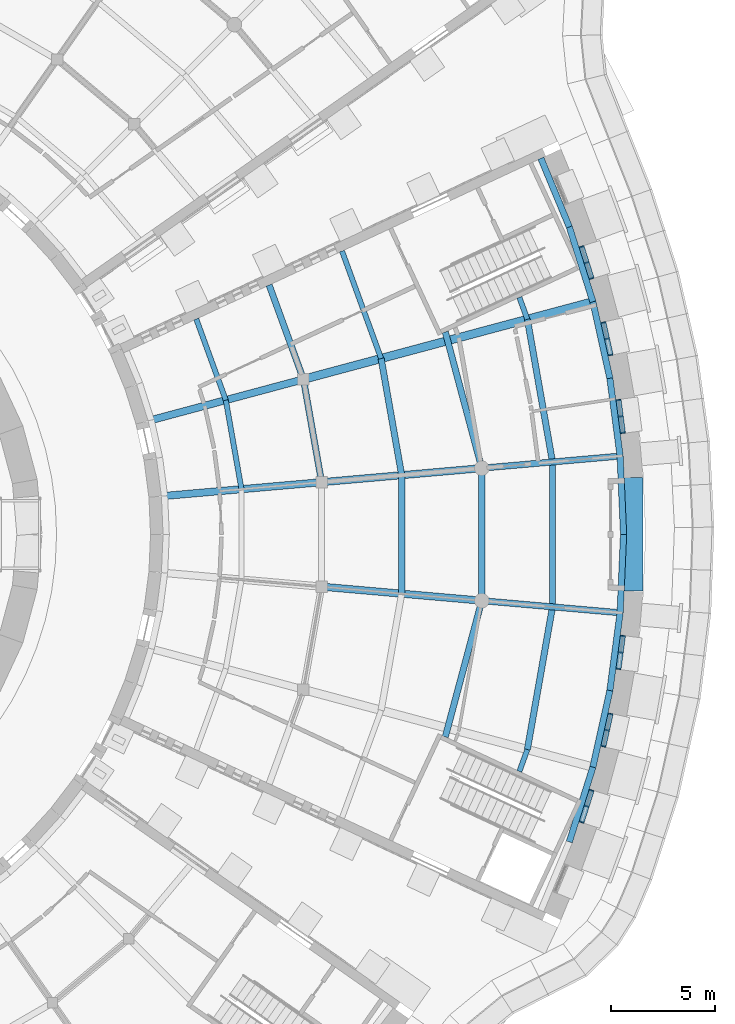
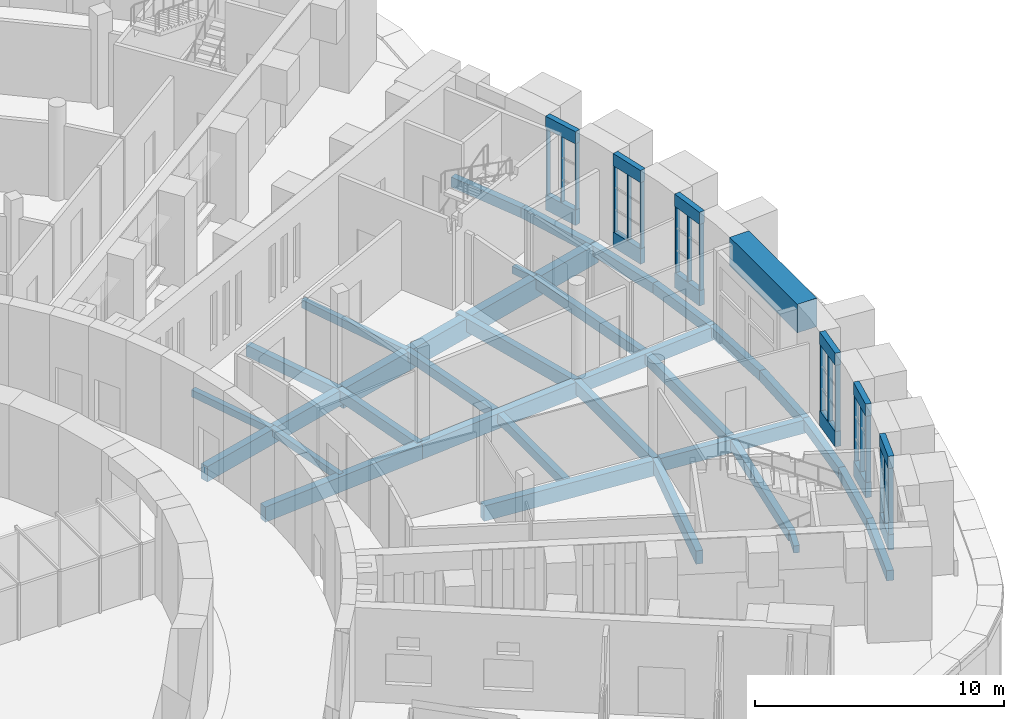
# One storey, part 20 of 85: 44 beams, 18 members, 6 elements without a shape of their own.
"""IFC4 building model written with IfcOpenShell, lengths in metres."""

from ifc_helpers import new_model, si_unit, direction, frame, origin, origin_2d, place, context, subcontext, project, spatial, rectangle, extrude, material, layer, layer_set, material_profile, profile_set, type_object, element, aggregate, save


model = new_model("IFC4")

# Units and contexts
model_context = context("Model", 3, precision=1e-05, world=origin(), true_north=direction((0.0, 1.0)))
body_context = subcontext(model_context, "Body", "Model", "MODEL_VIEW")
ifc_project = project(units=[si_unit("LENGTHUNIT", "METRE"), si_unit("AREAUNIT", "SQUARE_METRE"), si_unit("VOLUMEUNIT", "CUBIC_METRE"), si_unit("PLANEANGLEUNIT", "RADIAN"), si_unit("MASSUNIT", "GRAM", prefix="KILO")], contexts=[model_context])

# Site, building, storey
site_placement = place(None, origin())
site = spatial("IfcSite", under=ifc_project, at=site_placement, CompositionType="ELEMENT")
building_placement = place(site_placement, origin())
building = spatial("IfcBuilding", under=site, at=building_placement, Name="Volute Hill Aquarium", CompositionType="ELEMENT")
storey_placement = place(building_placement, origin())
storey = spatial("IfcBuildingStorey", under=building, at=storey_placement, Name="L01", CompositionType="ELEMENT", Elevation=0.0)

# Beams
ifc_material_1 = material(Name="Concrete C35/45", Category="concrete")
ifc_material_profile_1 = material_profile(ifc_material_1, rectangle(XDim=0.300048828125, YDim=0.550048828125, at=origin_2d()), Name="RC beam 300x550")
ifc_profile_set_1 = profile_set([ifc_material_profile_1], Name="Concrete C35/45")
beam_type_1 = type_object("IfcBeamType", Name="Beam 300x550 C35/45", PredefinedType="BEAM", material=ifc_profile_set_1)
beam_1_placement = place(storey_placement, frame((28.5908203125, 2.50146484375, -0.514892578125), z_axis=(-0.173643342996, 0.984808605483, 0.0), x_axis=(-0.984808605483, -0.173643342996, 0.0)))
element("IfcBeam", 1, at=beam_1_placement, inside=storey, type_object=beam_type_1, Name="bm/S4/L01/ring1.14", PredefinedType="BEAM", context=body_context, shape_type="SweptSolid", body=[
    extrude(rectangle(XDim=0.300048828125, YDim=0.550048828125, at=origin_2d()), origin(), (0.0, 0.0, 1.0), 5.00244140625),
])
beam_2_placement = place(storey_placement, frame((27.72216796875, 7.427978515625, -0.514892578125), z_axis=(-0.342053281392, 0.939680558854, 0.0), x_axis=(-0.939680558854, -0.342053281392, 0.0)))
element("IfcBeam", 2, at=beam_2_placement, inside=storey, type_object=beam_type_1, Name="bm/S4/L01/ring1.15", PredefinedType="BEAM", context=body_context, shape_type="SweptSolid", body=[
    extrude(rectangle(XDim=0.300048828125, YDim=0.550048828125, at=origin_2d()), origin(), (0.0, 0.0, 1.0), 4.802001953125),
])
ifc_material_2 = material(Name="Concrete C35/45", Category="concrete")
ifc_material_profile_2 = material_profile(ifc_material_2, rectangle(XDim=0.300048828125, YDim=0.60009765625, at=origin_2d()), Name="RC beam 300x600")
ifc_profile_set_2 = profile_set([ifc_material_profile_2], Name="Concrete C35/45")
beam_type_2 = type_object("IfcBeamType", Name="Beam 300x600 C35/45", PredefinedType="BEAM", material=ifc_profile_set_2)
beam_3_placement = place(storey_placement, frame((36.261474609375, -3.172607421875, -0.5400390625), z_axis=(0.0, 1.0, 0.0), x_axis=(-1.0, 0.0, 0.0)))
element("IfcBeam", 3, at=beam_3_placement, inside=storey, type_object=beam_type_2, Name="bm/S4/L01/ring2.17", PredefinedType="BEAM", context=body_context, shape_type="SweptSolid", body=[
    extrude(rectangle(XDim=0.300048828125, YDim=0.60009765625, at=origin_2d()), origin(), (0.0, 0.0, 1.0), 6.34521484375),
])
ifc_material_3 = material(Name="Concrete C35/45", Category="concrete")
ifc_material_profile_3 = material_profile(ifc_material_3, rectangle(XDim=0.300048828125, YDim=0.64990234375, at=origin_2d()), Name="RC beam 300x650")
ifc_profile_set_3 = profile_set([ifc_material_profile_3], Name="Concrete C35/45")
beam_type_3 = type_object("IfcBeamType", Name="Beam 300x650 C35/45", PredefinedType="BEAM", material=ifc_profile_set_3)
for number, where, z_axis, x_axis, name in (
    (4, (36.261474609375, -3.172607421875, -0.56494140625), (0.996196405978, -0.087136219314, 0.0), (0.087136219314, 0.996196405978, 0.0), "bm/S4/L01/rad2.5"),
    (5, (36.261474609375, 3.172607421875, -0.56494140625), (0.996196405978, 0.087136219314, 0.0), (-0.087136219314, 0.996196405978, 0.0), "bm/S4/L01/rad3.8"),
):
    element("IfcBeam", number, at=place(storey_placement, frame(where, z_axis=z_axis, x_axis=x_axis)), inside=storey, type_object=beam_type_3, Name=name, PredefinedType="BEAM", context=body_context, shape_type="SweptSolid", body=[
        extrude(rectangle(XDim=0.300048828125, YDim=0.64990234375, at=origin_2d()), origin(), (0.0, 0.0, 1.0), 6.800048828125),
    ])
for number, where, z_axis, x_axis, name in (
    (6, (34.513916015625, -9.694580078125, -0.56494140625), (0.258819223005, 0.96592577862, 0.0), (-0.96592577862, 0.258819223005, 0.0), "bm/S4/L01/ring2.16"),
    (7, (36.261474609375, 3.172607421875, -0.56494140625), (-0.258819223005, 0.96592577862, 0.0), (-0.96592577862, -0.258819223005, 0.0), "bm/S4/L01/ring2.18"),
):
    element("IfcBeam", number, at=place(storey_placement, frame(where, z_axis=z_axis, x_axis=x_axis)), inside=storey, type_object=beam_type_3, Name=name, PredefinedType="BEAM", context=body_context, shape_type="SweptSolid", body=[
        extrude(rectangle(XDim=0.300048828125, YDim=0.64990234375, at=origin_2d()), origin(), (0.0, 0.0, 1.0), 6.751953125),
    ])
ifc_material_4 = material(Name="Concrete C35/45", Category="concrete")
ifc_material_profile_4 = material_profile(ifc_material_4, rectangle(XDim=0.35009765625, YDim=0.75, at=origin_2d()), Name="RC beam 350x750")
ifc_profile_set_4 = profile_set([ifc_material_profile_4], Name="Concrete C35/45")
beam_type_4 = type_object("IfcBeamType", Name="Beam 350x750 C35/45", PredefinedType="BEAM", material=ifc_profile_set_4)
for number, where, z_axis, x_axis, name in (
    (8, (28.5908203125, -2.50146484375, -0.614990234375), (0.996194164888, -0.087161837082, 0.0), (0.087161837082, 0.996194164888, 0.0), "bm/S4/L01/rad2.4"),
    (9, (20.920166015625, 1.830322265625, -0.614990234375), (0.996194164888, 0.087161837082, 0.0), (-0.087161837082, 0.996194164888, 0.0), "bm/S4/L01/rad3.6"),
    (10, (28.5908203125, 2.50146484375, -0.614990234375), (0.996194164888, 0.087161837082, 0.0), (-0.087161837082, 0.996194164888, 0.0), "bm/S4/L01/rad3.7"),
    (11, (20.284423828125, 5.435302734375, -0.614990234375), (0.965934324242, 0.258787328228, 0.0), (-0.258787328228, 0.965934324242, 0.0), "bm/S4/L01/rad4.9"),
):
    element("IfcBeam", number, at=place(storey_placement, frame(where, z_axis=z_axis, x_axis=x_axis)), inside=storey, type_object=beam_type_4, Name=name, PredefinedType="BEAM", context=body_context, shape_type="SweptSolid", body=[
        extrude(rectangle(XDim=0.35009765625, YDim=0.75, at=origin_2d()), origin(), (0.0, 0.0, 1.0), 7.699951171875),
    ])
ifc_material_5 = material(Name="Concrete C35/45", Category="concrete")
ifc_material_profile_5 = material_profile(ifc_material_5, rectangle(XDim=0.39990234375, YDim=0.949951171875, at=origin_2d()), Name="RC beam 400x950")
ifc_profile_set_5 = profile_set([ifc_material_profile_5], Name="Concrete C35/45")
beam_type_5 = type_object("IfcBeamType", Name="Beam 400x950 C35/45", PredefinedType="BEAM", material=ifc_profile_set_5)
beam_4_placement = place(storey_placement, frame((27.72216796875, 7.427978515625, -0.715087890625), z_axis=(0.965924602504, 0.258823612287, 0.0), x_axis=(-0.258823612287, 0.965924602504, 0.0)))
element("IfcBeam", 12, at=beam_4_placement, inside=storey, type_object=beam_type_5, Name="bm/S4/L01/rad4.10", PredefinedType="BEAM", context=body_context, shape_type="SweptSolid", body=[
    extrude(rectangle(XDim=0.39990234375, YDim=0.949951171875, at=origin_2d()), origin(), (0.0, 0.0, 1.0), 14.5),
])

# Curtain wall, members
ifc_material_6 = material(Name="Aluminium", Category="aluminium")
ifc_layer = layer(ifc_material_6, 0.25)
ifc_layer_set = layer_set([ifc_layer], Name="Curtain wall niche S4 module 819")
curtain_wall_type = type_object("IfcCurtainWallType", Name="Curtain wall niche S4 module 819", PredefinedType="NOTDEFINED", material=ifc_layer_set)
curtain_wall_1_placement = place(storey_placement, origin())
curtain_wall_1 = element("IfcCurtainWall", 13, at=curtain_wall_1_placement, inside=storey, type_object=curtain_wall_type, Name="Curtain wall CW S4 L01 2", PredefinedType="NOTDEFINED")
ifc_material_7 = material(Name="Aluminium", Category="aluminium")
ifc_material_profile_6 = material_profile(ifc_material_7, rectangle(XDim=0.199951171875, YDim=0.06005859375, at=origin_2d()), Name="Curtain wall mullion S4 60x200")
ifc_profile_set_6 = profile_set([ifc_material_profile_6], Name="Aluminium")
member_type = type_object("IfcMemberType", Name="Curtain wall mullion S4 60x200", PredefinedType="MULLION", material=ifc_profile_set_6)
member_1_placement = place(storey_placement, frame((41.04296875, -13.767822265625, 0.75), z_axis=(0.0, 0.0, 1.0), x_axis=(-0.953715759869, 0.300709576466, 0.0)))
member_1 = element("IfcMember", 14, at=member_1_placement, type_object=member_type, Name="CW mullion 1", PredefinedType="MULLION", context=body_context, shape_type="SweptSolid", body=[
    extrude(rectangle(XDim=0.199951171875, YDim=0.06005859375, at=origin_2d()), origin(), (0.0, 0.0, 1.0), 3.25),
])
member_2_placement = place(storey_placement, frame((41.2802734375, -13.015625, 0.75), z_axis=(0.0, 0.0, 1.0), x_axis=(-0.953715759869, 0.300709576466, 0.0)))
member_2 = element("IfcMember", 15, at=member_2_placement, type_object=member_type, Name="CW mullion 2", PredefinedType="MULLION", context=body_context, shape_type="SweptSolid", body=[
    extrude(rectangle(XDim=0.199951171875, YDim=0.06005859375, at=origin_2d()), origin(), (0.0, 0.0, 1.0), 3.25),
])
member_3_placement = place(storey_placement, frame((41.517333984375, -12.263427734375, 0.75), z_axis=(0.0, 0.0, 1.0), x_axis=(-0.953715759869, 0.300709576466, 0.0)))
member_3 = element("IfcMember", 16, at=member_3_placement, type_object=member_type, Name="CW mullion 3", PredefinedType="MULLION", context=body_context, shape_type="SweptSolid", body=[
    extrude(rectangle(XDim=0.199951171875, YDim=0.06005859375, at=origin_2d()), origin(), (0.0, 0.0, 1.0), 3.25),
])
aggregate(curtain_wall_1, [member_1, member_2, member_3])

curtain_wall_2_placement = place(storey_placement, origin())
curtain_wall_2 = element("IfcCurtainWall", 17, at=curtain_wall_2_placement, inside=storey, type_object=curtain_wall_type, Name="Curtain wall CW S4 L01 3", PredefinedType="NOTDEFINED")
member_4_placement = place(storey_placement, frame((42.0869140625, -10.138427734375, 0.75), z_axis=(0.0, 0.0, 1.0), x_axis=(-0.976297724054, 0.216431869204, 0.0)))
member_4 = element("IfcMember", 18, at=member_4_placement, type_object=member_type, Name="CW mullion 1", PredefinedType="MULLION", context=body_context, shape_type="SweptSolid", body=[
    extrude(rectangle(XDim=0.199951171875, YDim=0.06005859375, at=origin_2d()), origin(), (0.0, 0.0, 1.0), 3.25),
])
member_5_placement = place(storey_placement, frame((42.257568359375, -9.368408203125, 0.75), z_axis=(0.0, 0.0, 1.0), x_axis=(-0.976297724054, 0.216431869204, 0.0)))
member_5 = element("IfcMember", 19, at=member_5_placement, type_object=member_type, Name="CW mullion 2", PredefinedType="MULLION", context=body_context, shape_type="SweptSolid", body=[
    extrude(rectangle(XDim=0.199951171875, YDim=0.06005859375, at=origin_2d()), origin(), (0.0, 0.0, 1.0), 3.25),
])
member_6_placement = place(storey_placement, frame((42.42822265625, -8.598388671875, 0.75), z_axis=(0.0, 0.0, 1.0), x_axis=(-0.976297724054, 0.216431869204, 0.0)))
member_6 = element("IfcMember", 20, at=member_6_placement, type_object=member_type, Name="CW mullion 3", PredefinedType="MULLION", context=body_context, shape_type="SweptSolid", body=[
    extrude(rectangle(XDim=0.199951171875, YDim=0.06005859375, at=origin_2d()), origin(), (0.0, 0.0, 1.0), 3.25),
])
aggregate(curtain_wall_2, [member_4, member_5, member_6])

curtain_wall_3_placement = place(storey_placement, origin())
curtain_wall_3 = element("IfcCurtainWall", 21, at=curtain_wall_3_placement, inside=storey, type_object=curtain_wall_type, Name="Curtain wall CW S4 L01 4", PredefinedType="NOTDEFINED")
member_7_placement = place(storey_placement, frame((42.810302734375, -6.431640625, 0.75), z_axis=(0.0, 0.0, 1.0), x_axis=(-0.991446228392, 0.130515808269, 0.0)))
member_7 = element("IfcMember", 22, at=member_7_placement, type_object=member_type, Name="CW mullion 1", PredefinedType="MULLION", context=body_context, shape_type="SweptSolid", body=[
    extrude(rectangle(XDim=0.199951171875, YDim=0.06005859375, at=origin_2d()), origin(), (0.0, 0.0, 1.0), 3.25),
])
member_8_placement = place(storey_placement, frame((42.9130859375, -5.649658203125, 0.75), z_axis=(0.0, 0.0, 1.0), x_axis=(-0.991446228392, 0.130515808269, 0.0)))
member_8 = element("IfcMember", 23, at=member_8_placement, type_object=member_type, Name="CW mullion 2", PredefinedType="MULLION", context=body_context, shape_type="SweptSolid", body=[
    extrude(rectangle(XDim=0.199951171875, YDim=0.06005859375, at=origin_2d()), origin(), (0.0, 0.0, 1.0), 3.25),
])
member_9_placement = place(storey_placement, frame((43.01611328125, -4.86767578125, 0.75), z_axis=(0.0, 0.0, 1.0), x_axis=(-0.991446228392, 0.130515808269, 0.0)))
member_9 = element("IfcMember", 24, at=member_9_placement, type_object=member_type, Name="CW mullion 3", PredefinedType="MULLION", context=body_context, shape_type="SweptSolid", body=[
    extrude(rectangle(XDim=0.199951171875, YDim=0.06005859375, at=origin_2d()), origin(), (0.0, 0.0, 1.0), 3.25),
])
aggregate(curtain_wall_3, [member_7, member_8, member_9])

curtain_wall_4_placement = place(storey_placement, origin())
curtain_wall_4 = element("IfcCurtainWall", 25, at=curtain_wall_4_placement, inside=storey, type_object=curtain_wall_type, Name="Curtain wall CW S4 L01 7", PredefinedType="NOTDEFINED")
member_10_placement = place(storey_placement, frame((43.01611328125, 4.86767578125, 0.75), z_axis=(0.0, 0.0, 1.0), x_axis=(-0.991446228392, -0.130515808269, 0.0)))
member_10 = element("IfcMember", 26, at=member_10_placement, type_object=member_type, Name="CW mullion 1", PredefinedType="MULLION", context=body_context, shape_type="SweptSolid", body=[
    extrude(rectangle(XDim=0.199951171875, YDim=0.06005859375, at=origin_2d()), origin(), (0.0, 0.0, 1.0), 3.25),
])
member_11_placement = place(storey_placement, frame((42.9130859375, 5.649658203125, 0.75), z_axis=(0.0, 0.0, 1.0), x_axis=(-0.991446228392, -0.130515808269, 0.0)))
member_11 = element("IfcMember", 27, at=member_11_placement, type_object=member_type, Name="CW mullion 2", PredefinedType="MULLION", context=body_context, shape_type="SweptSolid", body=[
    extrude(rectangle(XDim=0.199951171875, YDim=0.06005859375, at=origin_2d()), origin(), (0.0, 0.0, 1.0), 3.25),
])
member_12_placement = place(storey_placement, frame((42.810302734375, 6.431640625, 0.75), z_axis=(0.0, 0.0, 1.0), x_axis=(-0.991446228392, -0.130515808269, 0.0)))
member_12 = element("IfcMember", 28, at=member_12_placement, type_object=member_type, Name="CW mullion 3", PredefinedType="MULLION", context=body_context, shape_type="SweptSolid", body=[
    extrude(rectangle(XDim=0.199951171875, YDim=0.06005859375, at=origin_2d()), origin(), (0.0, 0.0, 1.0), 3.25),
])
aggregate(curtain_wall_4, [member_10, member_11, member_12])

curtain_wall_5_placement = place(storey_placement, origin())
curtain_wall_5 = element("IfcCurtainWall", 29, at=curtain_wall_5_placement, inside=storey, type_object=curtain_wall_type, Name="Curtain wall CW S4 L01 8", PredefinedType="NOTDEFINED")
member_13_placement = place(storey_placement, frame((42.42822265625, 8.59814453125, 0.75), z_axis=(0.0, 0.0, 1.0), x_axis=(-0.976296719673, -0.216436399795, 0.0)))
member_13 = element("IfcMember", 30, at=member_13_placement, type_object=member_type, Name="CW mullion 1", PredefinedType="MULLION", context=body_context, shape_type="SweptSolid", body=[
    extrude(rectangle(XDim=0.199951171875, YDim=0.06005859375, at=origin_2d()), origin(), (0.0, 0.0, 1.0), 3.25),
])
member_14_placement = place(storey_placement, frame((42.257568359375, 9.3681640625, 0.75), z_axis=(0.0, 0.0, 1.0), x_axis=(-0.976296719673, -0.216436399795, 0.0)))
member_14 = element("IfcMember", 31, at=member_14_placement, type_object=member_type, Name="CW mullion 2", PredefinedType="MULLION", context=body_context, shape_type="SweptSolid", body=[
    extrude(rectangle(XDim=0.199951171875, YDim=0.06005859375, at=origin_2d()), origin(), (0.0, 0.0, 1.0), 3.25),
])
member_15_placement = place(storey_placement, frame((42.0869140625, 10.13818359375, 0.75), z_axis=(0.0, 0.0, 1.0), x_axis=(-0.976296719673, -0.216436399795, 0.0)))
member_15 = element("IfcMember", 32, at=member_15_placement, type_object=member_type, Name="CW mullion 3", PredefinedType="MULLION", context=body_context, shape_type="SweptSolid", body=[
    extrude(rectangle(XDim=0.199951171875, YDim=0.06005859375, at=origin_2d()), origin(), (0.0, 0.0, 1.0), 3.25),
])
aggregate(curtain_wall_5, [member_13, member_14, member_15])

curtain_wall_6_placement = place(storey_placement, origin())
curtain_wall_6 = element("IfcCurtainWall", 33, at=curtain_wall_6_placement, inside=storey, type_object=curtain_wall_type, Name="Curtain wall CW S4 L01 9", PredefinedType="NOTDEFINED")
member_16_placement = place(storey_placement, frame((41.517333984375, 12.263427734375, 0.75), z_axis=(0.0, 0.0, 1.0), x_axis=(-0.953715759869, -0.300709576466, 0.0)))
member_16 = element("IfcMember", 34, at=member_16_placement, type_object=member_type, Name="CW mullion 1", PredefinedType="MULLION", context=body_context, shape_type="SweptSolid", body=[
    extrude(rectangle(XDim=0.199951171875, YDim=0.06005859375, at=origin_2d()), origin(), (0.0, 0.0, 1.0), 3.25),
])
member_17_placement = place(storey_placement, frame((41.2802734375, 13.015625, 0.75), z_axis=(0.0, 0.0, 1.0), x_axis=(-0.953715759869, -0.300709576466, 0.0)))
member_17 = element("IfcMember", 35, at=member_17_placement, type_object=member_type, Name="CW mullion 2", PredefinedType="MULLION", context=body_context, shape_type="SweptSolid", body=[
    extrude(rectangle(XDim=0.199951171875, YDim=0.06005859375, at=origin_2d()), origin(), (0.0, 0.0, 1.0), 3.25),
])
member_18_placement = place(storey_placement, frame((41.04296875, 13.767822265625, 0.75), z_axis=(0.0, 0.0, 1.0), x_axis=(-0.953715759869, -0.300709576466, 0.0)))
member_18 = element("IfcMember", 36, at=member_18_placement, type_object=member_type, Name="CW mullion 3", PredefinedType="MULLION", context=body_context, shape_type="SweptSolid", body=[
    extrude(rectangle(XDim=0.199951171875, YDim=0.06005859375, at=origin_2d()), origin(), (0.0, 0.0, 1.0), 3.25),
])
aggregate(curtain_wall_6, [member_16, member_17, member_18])

# Beams
ifc_material_8 = material(Name="Concrete C35/45", Category="concrete")
ifc_material_profile_7 = material_profile(ifc_material_8, rectangle(XDim=0.300048828125, YDim=0.5, at=origin_2d()), Name="RC edge beam 300x500")
ifc_profile_set_7 = profile_set([ifc_material_profile_7], Name="Concrete C35/45")
beam_type_6 = type_object("IfcBeamType", Name="Edge beam 300x500 C35/45", PredefinedType="BEAM", material=ifc_profile_set_7)
for number, where, z_axis, x_axis, name in (
    (37, (40.45361328125, -14.723876953125, -0.489990234375), (0.300720668407, 0.953712262474, 0.0), (-0.953712262474, 0.300720668407, 0.0), "bm/S4/L01/edgeO.30"),
    (38, (41.5830078125, -11.14208984375, -0.489990234375), (0.216414181403, 0.97630164503, 0.0), (-0.97630164503, 0.216414181403, 0.0), "bm/S4/L01/edgeO.31"),
):
    element("IfcBeam", number, at=place(storey_placement, frame(where, z_axis=z_axis, x_axis=x_axis)), inside=storey, type_object=beam_type_6, Name=name, PredefinedType="BEAM", context=body_context, shape_type="SweptSolid", body=[
        extrude(rectangle(XDim=0.300048828125, YDim=0.5, at=origin_2d()), origin(), (0.0, 0.0, 1.0), 3.755615234375),
    ])
beam_5_placement = place(storey_placement, frame((42.395751953125, -7.4755859375, -0.489990234375), z_axis=(0.130528499327, 0.991444557635, 0.0), x_axis=(-0.991444557635, 0.130528499327, 0.0)))
element("IfcBeam", 39, at=beam_5_placement, inside=storey, type_object=beam_type_6, Name="bm/S4/L01/edgeO.32", PredefinedType="BEAM", context=body_context, shape_type="SweptSolid", body=[
    extrude(rectangle(XDim=0.300048828125, YDim=0.5, at=origin_2d()), origin(), (0.0, 0.0, 1.0), 3.755859375),
])
for number, where, z_axis, x_axis, name in (
    (40, (42.885986328125, -3.751953125, -0.489990234375), (0.043620596126, 0.999048168805, 0.0), (-0.999048168805, 0.043620596126, 0.0), "bm/S4/L01/edgeO.33"),
    (41, (43.0498046875, 0.0, -0.489990234375), (-0.043620596126, 0.999048168805, 0.0), (-0.999048168805, -0.043620596126, 0.0), "bm/S4/L01/edgeO.34"),
):
    element("IfcBeam", number, at=place(storey_placement, frame(where, z_axis=z_axis, x_axis=x_axis)), inside=storey, type_object=beam_type_6, Name=name, PredefinedType="BEAM", context=body_context, shape_type="SweptSolid", body=[
        extrude(rectangle(XDim=0.300048828125, YDim=0.5, at=origin_2d()), origin(), (0.0, 0.0, 1.0), 3.755615234375),
    ])
beam_6_placement = place(storey_placement, frame((42.885986328125, 3.751953125, -0.489990234375), z_axis=(-0.130528499327, 0.991444557635, 0.0), x_axis=(-0.991444557635, -0.130528499327, 0.0)))
element("IfcBeam", 42, at=beam_6_placement, inside=storey, type_object=beam_type_6, Name="bm/S4/L01/edgeO.35", PredefinedType="BEAM", context=body_context, shape_type="SweptSolid", body=[
    extrude(rectangle(XDim=0.300048828125, YDim=0.5, at=origin_2d()), origin(), (0.0, 0.0, 1.0), 3.755859375),
])
for number, where, z_axis, x_axis, name in (
    (43, (42.395751953125, 7.4755859375, -0.489990234375), (-0.216414181403, 0.97630164503, 0.0), (-0.97630164503, -0.216414181403, 0.0), "bm/S4/L01/edgeO.36"),
    (44, (41.5830078125, 11.14208984375, -0.489990234375), (-0.300720668407, 0.953712262474, 0.0), (-0.953712262474, -0.300720668407, 0.0), "bm/S4/L01/edgeO.37"),
):
    element("IfcBeam", number, at=place(storey_placement, frame(where, z_axis=z_axis, x_axis=x_axis)), inside=storey, type_object=beam_type_6, Name=name, PredefinedType="BEAM", context=body_context, shape_type="SweptSolid", body=[
        extrude(rectangle(XDim=0.300048828125, YDim=0.5, at=origin_2d()), origin(), (0.0, 0.0, 1.0), 3.755615234375),
    ])
beam_7_placement = place(storey_placement, frame((40.45361328125, 14.723876953125, -0.489990234375), z_axis=(-0.382669162072, 0.923885443331, 0.0), x_axis=(-0.923885443331, -0.382669162072, 0.0)))
element("IfcBeam", 45, at=beam_7_placement, inside=storey, type_object=beam_type_6, Name="bm/S4/L01/edgeO.38", PredefinedType="BEAM", context=body_context, shape_type="SweptSolid", body=[
    extrude(rectangle(XDim=0.300048828125, YDim=0.5, at=origin_2d()), origin(), (0.0, 0.0, 1.0), 3.555419921875),
])
ifc_material_9 = material(Name="Concrete C35/45", Category="concrete")
ifc_material_profile_8 = material_profile(ifc_material_9, rectangle(XDim=0.25, YDim=0.35009765625, at=origin_2d()), Name="RC joist 250x350")
ifc_profile_set_8 = profile_set([ifc_material_profile_8], Name="Concrete C35/45")
beam_type_7 = type_object("IfcBeamType", Name="Joist 250x350 C35/45", PredefinedType="BEAM", material=ifc_profile_set_8)
beam_8_placement = place(storey_placement, frame((24.75537109375, 2.165771484375, -0.4150390625), z_axis=(-0.173595628323, 0.984817017434, 0.0), x_axis=(-0.984817017434, -0.173595628323, 0.0)))
element("IfcBeam", 46, at=beam_8_placement, inside=storey, type_object=beam_type_7, Name="bm/S4/L01/jst4", PredefinedType="BEAM", context=body_context, shape_type="SweptSolid", body=[
    extrude(rectangle(XDim=0.25, YDim=0.35009765625, at=origin_2d()), origin(), (0.0, 0.0, 1.0), 4.33154296875),
])
beam_9_placement = place(storey_placement, frame((24.00341796875, 6.431640625, -0.4150390625), z_axis=(-0.34206571552, 0.939676032612, 0.0), x_axis=(-0.939676032612, -0.34206571552, 0.0)))
element("IfcBeam", 47, at=beam_9_placement, inside=storey, type_object=beam_type_7, Name="bm/S4/L01/jst5", PredefinedType="BEAM", context=body_context, shape_type="SweptSolid", body=[
    extrude(rectangle(XDim=0.25, YDim=0.35009765625, at=origin_2d()), origin(), (0.0, 0.0, 1.0), 4.131103515625),
])
for number, where, z_axis, x_axis, name in (
    (48, (38.062255859375, -11.34912109375, -0.4150390625), (0.342112100043, 0.939659146182, 0.0), (-0.939659146182, 0.342112100043, 0.0), "bm/S4/L01/jst11"),
    (49, (38.44384765625, 10.301025390625, -0.4150390625), (-0.342112100043, 0.939659146182, 0.0), (-0.939659146182, -0.342112100043, 0.0), "bm/S4/L01/jst15"),
):
    element("IfcBeam", number, at=place(storey_placement, frame(where, z_axis=z_axis, x_axis=x_axis)), inside=storey, type_object=beam_type_7, Name=name, PredefinedType="BEAM", context=body_context, shape_type="SweptSolid", body=[
        extrude(rectangle(XDim=0.25, YDim=0.35009765625, at=origin_2d()), origin(), (0.0, 0.0, 1.0), 1.115478515625),
    ])
ifc_material_10 = material(Name="Concrete C35/45", Category="concrete")
ifc_material_profile_9 = material_profile(ifc_material_10, rectangle(XDim=0.25, YDim=0.39990234375, at=origin_2d()), Name="RC joist 250x400")
ifc_profile_set_9 = profile_set([ifc_material_profile_9], Name="Concrete C35/45")
beam_type_8 = type_object("IfcBeamType", Name="Joist 250x400 C35/45", PredefinedType="BEAM", material=ifc_profile_set_9)
beam_10_placement = place(storey_placement, frame((31.44091796875, 8.424560546875, -0.43994140625), z_axis=(-0.342004507506, 0.939698311611, 0.0), x_axis=(-0.939698311611, -0.342004507506, 0.0)))
element("IfcBeam", 50, at=beam_10_placement, inside=storey, type_object=beam_type_8, Name="bm/S4/L01/jst10", PredefinedType="BEAM", context=body_context, shape_type="SweptSolid", body=[
    extrude(rectangle(XDim=0.25, YDim=0.39990234375, at=origin_2d()), origin(), (0.0, 0.0, 1.0), 5.47314453125),
])
ifc_material_11 = material(Name="Concrete C35/45", Category="concrete")
ifc_material_profile_10 = material_profile(ifc_material_11, rectangle(XDim=0.300048828125, YDim=0.449951171875, at=origin_2d()), Name="RC joist 300x450")
ifc_profile_set_10 = profile_set([ifc_material_profile_10], Name="Concrete C35/45")
beam_type_9 = type_object("IfcBeamType", Name="Joist 300x450 C35/45", PredefinedType="BEAM", material=ifc_profile_set_10)
for number, where, z_axis, x_axis, name in (
    (51, (32.426025390625, -2.8369140625, -0.465087890625), (0.0, 1.0, 0.0), (-1.0, 0.0, 0.0), "bm/S4/L01/jst8"),
    (52, (32.426025390625, 2.8369140625, -0.465087890625), (-0.173623321821, 0.984812135445, 0.0), (-0.984812135445, -0.173623321821, 0.0), "bm/S4/L01/jst9"),
):
    element("IfcBeam", number, at=place(storey_placement, frame(where, z_axis=z_axis, x_axis=x_axis)), inside=storey, type_object=beam_type_9, Name=name, PredefinedType="BEAM", context=body_context, shape_type="SweptSolid", body=[
        extrude(rectangle(XDim=0.300048828125, YDim=0.449951171875, at=origin_2d()), origin(), (0.0, 0.0, 1.0), 5.673828125),
    ])
ifc_material_12 = material(Name="Concrete C35/45", Category="concrete")
ifc_material_profile_11 = material_profile(ifc_material_12, rectangle(XDim=0.300048828125, YDim=0.5, at=origin_2d()), Name="RC joist 300x500")
ifc_profile_set_11 = profile_set([ifc_material_profile_11], Name="Concrete C35/45")
beam_type_10 = type_object("IfcBeamType", Name="Joist 300x500 C35/45", PredefinedType="BEAM", material=ifc_profile_set_11)
beam_11_placement = place(storey_placement, frame((38.44384765625, -10.301025390625, -0.489990234375), z_axis=(0.173630752629, 0.984810825358, 0.0), x_axis=(-0.984810825358, 0.173630752629, 0.0)))
element("IfcBeam", 53, at=beam_11_placement, inside=storey, type_object=beam_type_10, Name="bm/S4/L01/jst12", PredefinedType="BEAM", context=body_context, shape_type="SweptSolid", body=[
    extrude(rectangle(XDim=0.300048828125, YDim=0.5, at=origin_2d()), origin(), (0.0, 0.0, 1.0), 6.937744140625),
])
beam_12_placement = place(storey_placement, frame((39.6484375, -3.46875, -0.489990234375), z_axis=(0.0, 1.0, 0.0), x_axis=(-1.0, 0.0, 0.0)))
element("IfcBeam", 54, at=beam_12_placement, inside=storey, type_object=beam_type_10, Name="bm/S4/L01/jst13", PredefinedType="BEAM", context=body_context, shape_type="SweptSolid", body=[
    extrude(rectangle(XDim=0.300048828125, YDim=0.5, at=origin_2d()), origin(), (0.0, 0.0, 1.0), 6.9375),
])
beam_13_placement = place(storey_placement, frame((39.6484375, 3.46875, -0.489990234375), z_axis=(-0.173630752629, 0.984810825358, 0.0), x_axis=(-0.984810825358, -0.173630752629, 0.0)))
element("IfcBeam", 55, at=beam_13_placement, inside=storey, type_object=beam_type_10, Name="bm/S4/L01/jst14", PredefinedType="BEAM", context=body_context, shape_type="SweptSolid", body=[
    extrude(rectangle(XDim=0.300048828125, YDim=0.5, at=origin_2d()), origin(), (0.0, 0.0, 1.0), 6.937744140625),
])
ifc_material_13 = material(Name="Concrete C35/45", Category="concrete")
ifc_material_profile_12 = material_profile(ifc_material_13, rectangle(XDim=0.25, YDim=0.60009765625, at=origin_2d()), Name="RC beam 250x600")
ifc_profile_set_12 = profile_set([ifc_material_profile_12], Name="Concrete C35/45")
beam_type_11 = type_object("IfcBeamType", Name="Niche head beam RC 250x600 C35/45", PredefinedType="BEAM", material=ifc_profile_set_12)
beam_14_placement = place(storey_placement, frame((41.033935546875, -13.79638671875, 4.300048828125), z_axis=(0.300753125362, 0.953702027672, 0.0), x_axis=(-0.953702027672, 0.300753125362, 0.0)))
element("IfcBeam", 56, at=beam_14_placement, inside=storey, type_object=beam_type_11, Name="Niche head beam OWB S4 L01 2", PredefinedType="BEAM", context=body_context, shape_type="SweptSolid", body=[
    extrude(rectangle(XDim=0.25, YDim=0.60009765625, at=origin_2d()), origin(), (0.0, 0.0, 1.0), 1.63720703125),
])
beam_15_placement = place(storey_placement, frame((42.080322265625, -10.167724609375, 4.300048828125), z_axis=(0.216346291888, 0.976316691441, 0.0), x_axis=(-0.976316691441, 0.216346291888, 0.0)))
element("IfcBeam", 57, at=beam_15_placement, inside=storey, type_object=beam_type_11, Name="Niche head beam OWB S4 L01 3", PredefinedType="BEAM", context=body_context, shape_type="SweptSolid", body=[
    extrude(rectangle(XDim=0.25, YDim=0.60009765625, at=origin_2d()), origin(), (0.0, 0.0, 1.0), 1.637451171875),
])
for number, where, z_axis, x_axis, name in (
    (58, (42.806396484375, -6.461181640625, 4.300048828125), (0.130473798764, 0.991451757695, 0.0), (-0.991451757695, 0.130473798764, 0.0), "Niche head beam OWB S4 L01 4"),
    (59, (43.02001953125, 4.837890625, 4.300048828125), (-0.130473798764, 0.991451757695, 0.0), (-0.991451757695, -0.130473798764, 0.0), "Niche head beam OWB S4 L01 7"),
):
    element("IfcBeam", number, at=place(storey_placement, frame(where, z_axis=z_axis, x_axis=x_axis)), inside=storey, type_object=beam_type_11, Name=name, PredefinedType="BEAM", context=body_context, shape_type="SweptSolid", body=[
        extrude(rectangle(XDim=0.25, YDim=0.60009765625, at=origin_2d()), origin(), (0.0, 0.0, 1.0), 1.63720703125),
    ])
beam_16_placement = place(storey_placement, frame((42.434814453125, 8.56884765625, 4.300048828125), z_axis=(-0.216488407717, 0.97628518852, 0.0), x_axis=(-0.97628518852, -0.216488407717, 0.0)))
element("IfcBeam", 60, at=beam_16_placement, inside=storey, type_object=beam_type_11, Name="Niche head beam OWB S4 L01 8", PredefinedType="BEAM", context=body_context, shape_type="SweptSolid", body=[
    extrude(rectangle(XDim=0.25, YDim=0.60009765625, at=origin_2d()), origin(), (0.0, 0.0, 1.0), 1.637451171875),
])
beam_17_placement = place(storey_placement, frame((41.5263671875, 12.23486328125, 4.300048828125), z_axis=(-0.300753125362, 0.953702027672, 0.0), x_axis=(-0.953702027672, -0.300753125362, 0.0)))
element("IfcBeam", 61, at=beam_17_placement, inside=storey, type_object=beam_type_11, Name="Niche head beam OWB S4 L01 9", PredefinedType="BEAM", context=body_context, shape_type="SweptSolid", body=[
    extrude(rectangle(XDim=0.25, YDim=0.60009765625, at=origin_2d()), origin(), (0.0, 0.0, 1.0), 1.63720703125),
])
ifc_material_14 = material(Name="Concrete C35/45", Category="concrete")
ifc_material_profile_13 = material_profile(ifc_material_14, rectangle(XDim=0.25, YDim=0.75, at=origin_2d()), Name="RC beam 250x750")
ifc_profile_set_13 = profile_set([ifc_material_profile_13], Name="Concrete C35/45")
beam_type_12 = type_object("IfcBeamType", Name="Niche sill beam RC 250x750 C35/45", PredefinedType="BEAM", material=ifc_profile_set_13)
beam_18_placement = place(storey_placement, frame((41.033935546875, -13.79638671875, 0.375), z_axis=(0.300753125362, 0.953702027672, 0.0), x_axis=(-0.953702027672, 0.300753125362, 0.0)))
element("IfcBeam", 62, at=beam_18_placement, inside=storey, type_object=beam_type_12, Name="Niche sill beam OWB S4 L01 2", PredefinedType="BEAM", context=body_context, shape_type="SweptSolid", body=[
    extrude(rectangle(XDim=0.25, YDim=0.75, at=origin_2d()), origin(), (0.0, 0.0, 1.0), 1.63720703125),
])
beam_19_placement = place(storey_placement, frame((42.080322265625, -10.167724609375, 0.375), z_axis=(0.216346291888, 0.976316691441, 0.0), x_axis=(-0.976316691441, 0.216346291888, 0.0)))
element("IfcBeam", 63, at=beam_19_placement, inside=storey, type_object=beam_type_12, Name="Niche sill beam OWB S4 L01 3", PredefinedType="BEAM", context=body_context, shape_type="SweptSolid", body=[
    extrude(rectangle(XDim=0.25, YDim=0.75, at=origin_2d()), origin(), (0.0, 0.0, 1.0), 1.637451171875),
])
for number, where, z_axis, x_axis, name in (
    (64, (42.806396484375, -6.461181640625, 0.375), (0.130473798764, 0.991451757695, 0.0), (-0.991451757695, 0.130473798764, 0.0), "Niche sill beam OWB S4 L01 4"),
    (65, (43.02001953125, 4.837890625, 0.375), (-0.130473798764, 0.991451757695, 0.0), (-0.991451757695, -0.130473798764, 0.0), "Niche sill beam OWB S4 L01 7"),
):
    element("IfcBeam", number, at=place(storey_placement, frame(where, z_axis=z_axis, x_axis=x_axis)), inside=storey, type_object=beam_type_12, Name=name, PredefinedType="BEAM", context=body_context, shape_type="SweptSolid", body=[
        extrude(rectangle(XDim=0.25, YDim=0.75, at=origin_2d()), origin(), (0.0, 0.0, 1.0), 1.63720703125),
    ])
beam_20_placement = place(storey_placement, frame((42.434814453125, 8.56884765625, 0.375), z_axis=(-0.216488407717, 0.97628518852, 0.0), x_axis=(-0.97628518852, -0.216488407717, 0.0)))
element("IfcBeam", 66, at=beam_20_placement, inside=storey, type_object=beam_type_12, Name="Niche sill beam OWB S4 L01 8", PredefinedType="BEAM", context=body_context, shape_type="SweptSolid", body=[
    extrude(rectangle(XDim=0.25, YDim=0.75, at=origin_2d()), origin(), (0.0, 0.0, 1.0), 1.637451171875),
])
beam_21_placement = place(storey_placement, frame((41.5263671875, 12.23486328125, 0.375), z_axis=(-0.300753125362, 0.953702027672, 0.0), x_axis=(-0.953702027672, -0.300753125362, 0.0)))
element("IfcBeam", 67, at=beam_21_placement, inside=storey, type_object=beam_type_12, Name="Niche sill beam OWB S4 L01 9", PredefinedType="BEAM", context=body_context, shape_type="SweptSolid", body=[
    extrude(rectangle(XDim=0.25, YDim=0.75, at=origin_2d()), origin(), (0.0, 0.0, 1.0), 1.63720703125),
])
ifc_material_15 = material(Name="Concrete C35/45", Category="concrete")
ifc_material_profile_14 = material_profile(ifc_material_15, rectangle(XDim=0.89990234375, YDim=1.39990234375, at=origin_2d()), Name="RC beam 900x1400")
ifc_profile_set_14 = profile_set([ifc_material_profile_14], Name="Concrete C35/45")
beam_type_13 = type_object("IfcBeamType", Name="Portal lintel beam RC 900x1400 C35/45", PredefinedType="BEAM", material=ifc_profile_set_14)
beam_22_placement = place(storey_placement, frame((43.53125, -2.719970703125, 3.89990234375), z_axis=(0.0, 1.0, 0.0), x_axis=(-1.0, 0.0, 0.0)))
element("IfcBeam", 68, at=beam_22_placement, inside=storey, type_object=beam_type_13, Name="Portal lintel beam PLB S4 L01", PredefinedType="BEAM", context=body_context, shape_type="SweptSolid", body=[
    extrude(rectangle(XDim=0.89990234375, YDim=1.39990234375, at=origin_2d()), origin(), (0.0, 0.0, 1.0), 5.440185546875),
])

save(model, "model.ifc")
